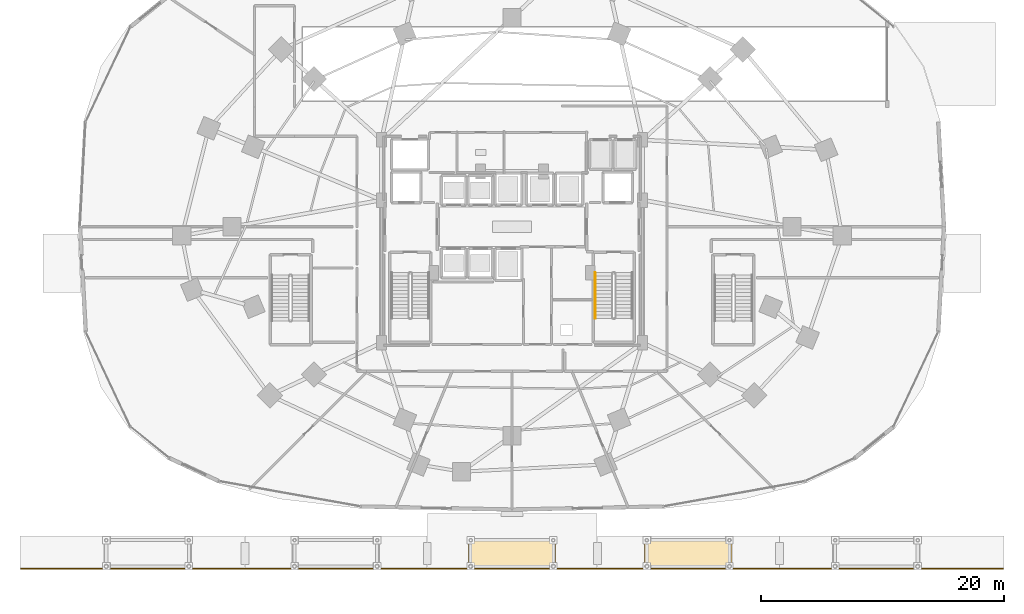
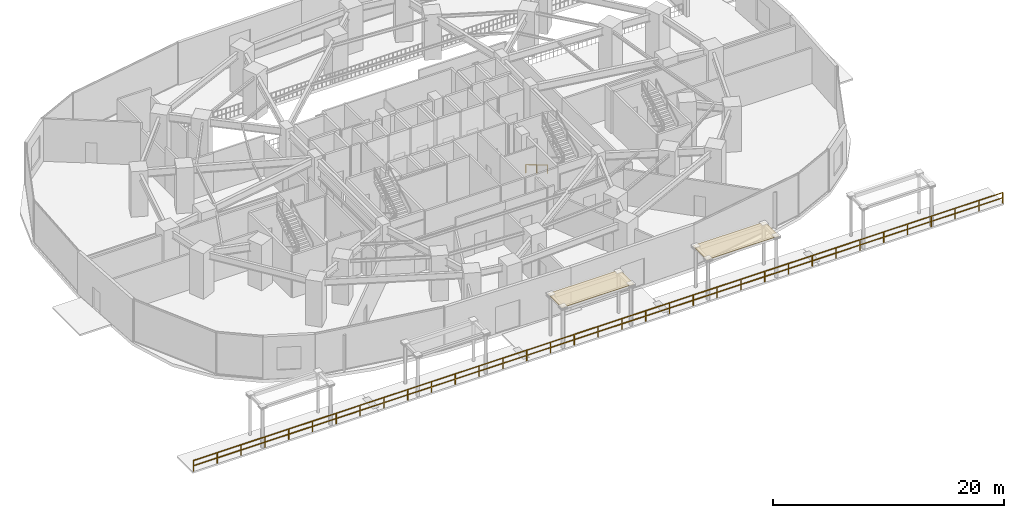
# One storey, part 33 of 36: 2 coverings, 2 railings.
"""IFC4 building model written with IfcOpenShell, lengths in metres."""

from ifc_helpers import new_model, si_unit, direction, frame, origin, origin_2d, place, context, subcontext, project, spatial, polyline, rectangle, outline, extrude, material, layer, layer_set, type_object, element, save


model = new_model("IFC4")

# Units and contexts
model_context = context("Model", 3, precision=1e-05, world=origin(), true_north=direction((0.0, 1.0)))
body_context = subcontext(model_context, "Body", "Model", "MODEL_VIEW")
ifc_project = project(units=[si_unit("LENGTHUNIT", "METRE"), si_unit("AREAUNIT", "SQUARE_METRE"), si_unit("VOLUMEUNIT", "CUBIC_METRE"), si_unit("PLANEANGLEUNIT", "RADIAN"), si_unit("MASSUNIT", "GRAM", prefix="KILO")], contexts=[model_context])

# Site, building, storey
site_placement = place(None, origin())
site = spatial("IfcSite", under=ifc_project, at=site_placement, CompositionType="ELEMENT")
building_placement = place(site_placement, origin())
building = spatial("IfcBuilding", under=site, at=building_placement, Name="Vorneva Point Tower", CompositionType="ELEMENT")
storey_placement = place(building_placement, origin())
storey = spatial("IfcBuildingStorey", under=building, at=storey_placement, Name="L00", CompositionType="ELEMENT", Elevation=0.0)

# Coverings
ifc_material_1 = material(Name="Pale anodised aluminium", Category="aluminium")
ifc_layer = layer(ifc_material_1, 0.030029296875)
ifc_layer_set = layer_set([ifc_layer], Name="Pale anodised aluminium")
covering_type = type_object("IfcCoveringType", Name="COV-SOF-ALU", PredefinedType="CLADDING", material=ifc_layer_set)
covering_1_placement = place(storey_placement, frame((0.0, 0.0, 4.300048828125)))
element("IfcCovering", 1, at=covering_1_placement, inside=storey, type_object=covering_type, Name="Waterfront Canopy Pale-Aluminium Soffit 03", PredefinedType="CLADDING", context=body_context, shape_type="SweptSolid", body=[
    extrude(outline(polyline([(34.39990234375, -2.10009765625), (41.60009765625, -2.10009765625), (41.60009765625, 0.35009765625), (34.39990234375, 0.35009765625), (34.39990234375, -2.10009765625)])), origin(), (0.0, 0.0, 1.0), 0.050048828125),
])
covering_2_placement = place(storey_placement, frame((0.0, 0.0, 4.300048828125)))
element("IfcCovering", 2, at=covering_2_placement, inside=storey, type_object=covering_type, Name="Waterfront Canopy Pale-Aluminium Soffit 04", PredefinedType="CLADDING", context=body_context, shape_type="SweptSolid", body=[
    extrude(outline(polyline([(48.89990234375, -2.10009765625), (56.10009765625, -2.10009765625), (56.10009765625, 0.35009765625), (48.89990234375, 0.35009765625), (48.89990234375, -2.10009765625)])), origin(), (0.0, 0.0, 1.0), 0.050048828125),
])

# Railings
ifc_material_2 = material(Name="Brushed stainless steel S304", Category="steel")
railing_type_1 = type_object("IfcRailingType", Name="RL-HND-920", PredefinedType="HANDRAIL", material=ifc_material_2)
railing_1_placement = place(storey_placement, frame((44.85009765625, 22.219970703125, 0.17138671875)))
element("IfcRailing", 3, at=railing_1_placement, inside=storey, type_object=railing_type_1, Name="L00 ST2 stair handrail 1", PredefinedType="HANDRAIL", context=body_context, shape_type="SweptSolid", body=[
    extrude(rectangle(XDim=0.048095703125, YDim=0.048095703125, at=origin_2d()), frame((0.0, 0.0, 0.8759765625), z_axis=(0.0, -0.860848830602, 0.508860777473), x_axis=(1.0, 0.0, 0.0)), (0.0, 0.0, 1.0), 4.37939453125),
    extrude(rectangle(XDim=0.0419921875, YDim=0.0419921875, at=origin_2d()), origin(), (0.0, 0.0, 1.0), 0.851806640625),
    extrude(rectangle(XDim=0.0419921875, YDim=0.0419921875, at=origin_2d()), frame((0.0, -1.885009765625, 1.1142578125)), (0.0, 0.0, 1.0), 0.851806640625),
    extrude(rectangle(XDim=0.0419921875, YDim=0.0419921875, at=origin_2d()), frame((0.0, -3.77001953125, 2.228515625)), (0.0, 0.0, 1.0), 0.851806640625),
])
ifc_material_3 = material(Name="Galvanised steel S355", Category="steel")
railing_type_2 = type_object("IfcRailingType", Name="RL-QUAY-1150", PredefinedType="GUARDRAIL", material=ifc_material_3)
railing_2_placement = place(storey_placement, frame((-2.39990234375, -2.14990234375, 0.0)))
element("IfcRailing", 4, at=railing_2_placement, inside=storey, type_object=railing_type_2, Name="Waterfront Promenade River Edge Guardrail", PredefinedType="GUARDRAIL", context=body_context, shape_type="SweptSolid", body=[
    extrude(rectangle(XDim=0.048095703125, YDim=0.048095703125, at=origin_2d()), frame((0.0, 0.0, 1.1259765625), z_axis=(1.0, 0.0, 0.0), x_axis=(0.0, 1.0, 0.0)), (0.0, 0.0, 1.0), 80.7998046875),
    extrude(rectangle(XDim=0.048095703125, YDim=0.048095703125, at=origin_2d()), frame((0.0, 0.0, 0.574951171875), z_axis=(1.0, 0.0, 0.0), x_axis=(0.0, 1.0, 0.0)), (0.0, 0.0, 1.0), 80.7998046875),
    extrude(rectangle(XDim=0.0419921875, YDim=0.0419921875, at=origin_2d()), origin(), (0.0, 0.0, 1.0), 1.101806640625),
    extrude(rectangle(XDim=0.0419921875, YDim=0.0419921875, at=origin_2d()), frame((2.37646484375, 0.0, 0.0)), (0.0, 0.0, 1.0), 1.101806640625),
    extrude(rectangle(XDim=0.0419921875, YDim=0.0419921875, at=origin_2d()), frame((4.7529296875, 0.0, 0.0)), (0.0, 0.0, 1.0), 1.101806640625),
    extrude(rectangle(XDim=0.0419921875, YDim=0.0419921875, at=origin_2d()), frame((7.12939453125, 0.0, 0.0)), (0.0, 0.0, 1.0), 1.101806640625),
    extrude(rectangle(XDim=0.0419921875, YDim=0.0419921875, at=origin_2d()), frame((9.505859375, 0.0, 0.0)), (0.0, 0.0, 1.0), 1.101806640625),
    extrude(rectangle(XDim=0.0419921875, YDim=0.0419921875, at=origin_2d()), frame((11.88232421875, 0.0, 0.0)), (0.0, 0.0, 1.0), 1.101806640625),
    extrude(rectangle(XDim=0.0419921875, YDim=0.0419921875, at=origin_2d()), frame((14.2587890625, 0.0, 0.0)), (0.0, 0.0, 1.0), 1.101806640625),
    extrude(rectangle(XDim=0.0419921875, YDim=0.0419921875, at=origin_2d()), frame((16.63525390625, 0.0, 0.0)), (0.0, 0.0, 1.0), 1.101806640625),
    extrude(rectangle(XDim=0.0419921875, YDim=0.0419921875, at=origin_2d()), frame((19.01171875, 0.0, 0.0)), (0.0, 0.0, 1.0), 1.101806640625),
    extrude(rectangle(XDim=0.0419921875, YDim=0.0419921875, at=origin_2d()), frame((21.38818359375, 0.0, 0.0)), (0.0, 0.0, 1.0), 1.101806640625),
    extrude(rectangle(XDim=0.0419921875, YDim=0.0419921875, at=origin_2d()), frame((23.7646484375, 0.0, 0.0)), (0.0, 0.0, 1.0), 1.101806640625),
    extrude(rectangle(XDim=0.0419921875, YDim=0.0419921875, at=origin_2d()), frame((26.14111328125, 0.0, 0.0)), (0.0, 0.0, 1.0), 1.101806640625),
    extrude(rectangle(XDim=0.0419921875, YDim=0.0419921875, at=origin_2d()), frame((28.517578125, 0.0, 0.0)), (0.0, 0.0, 1.0), 1.101806640625),
    extrude(rectangle(XDim=0.0419921875, YDim=0.0419921875, at=origin_2d()), frame((30.89404296875, 0.0, 0.0)), (0.0, 0.0, 1.0), 1.101806640625),
    extrude(rectangle(XDim=0.0419921875, YDim=0.0419921875, at=origin_2d()), frame((33.2705078125, 0.0, 0.0)), (0.0, 0.0, 1.0), 1.101806640625),
    extrude(rectangle(XDim=0.0419921875, YDim=0.0419921875, at=origin_2d()), frame((35.64697265625, 0.0, 0.0)), (0.0, 0.0, 1.0), 1.101806640625),
    extrude(rectangle(XDim=0.0419921875, YDim=0.0419921875, at=origin_2d()), frame((38.0234375, 0.0, 0.0)), (0.0, 0.0, 1.0), 1.101806640625),
    extrude(rectangle(XDim=0.0419921875, YDim=0.0419921875, at=origin_2d()), frame((40.39990234375, 0.0, 0.0)), (0.0, 0.0, 1.0), 1.101806640625),
    extrude(rectangle(XDim=0.0419921875, YDim=0.0419921875, at=origin_2d()), frame((42.7763671875, 0.0, 0.0)), (0.0, 0.0, 1.0), 1.101806640625),
    extrude(rectangle(XDim=0.0419921875, YDim=0.0419921875, at=origin_2d()), frame((45.15283203125, 0.0, 0.0)), (0.0, 0.0, 1.0), 1.101806640625),
    extrude(rectangle(XDim=0.0419921875, YDim=0.0419921875, at=origin_2d()), frame((47.529296875, 0.0, 0.0)), (0.0, 0.0, 1.0), 1.101806640625),
    extrude(rectangle(XDim=0.0419921875, YDim=0.0419921875, at=origin_2d()), frame((49.90576171875, 0.0, 0.0)), (0.0, 0.0, 1.0), 1.101806640625),
    extrude(rectangle(XDim=0.0419921875, YDim=0.0419921875, at=origin_2d()), frame((52.2822265625, 0.0, 0.0)), (0.0, 0.0, 1.0), 1.101806640625),
    extrude(rectangle(XDim=0.0419921875, YDim=0.0419921875, at=origin_2d()), frame((54.65869140625, 0.0, 0.0)), (0.0, 0.0, 1.0), 1.101806640625),
    extrude(rectangle(XDim=0.0419921875, YDim=0.0419921875, at=origin_2d()), frame((57.03515625, 0.0, 0.0)), (0.0, 0.0, 1.0), 1.101806640625),
    extrude(rectangle(XDim=0.0419921875, YDim=0.0419921875, at=origin_2d()), frame((59.41162109375, 0.0, 0.0)), (0.0, 0.0, 1.0), 1.101806640625),
    extrude(rectangle(XDim=0.0419921875, YDim=0.0419921875, at=origin_2d()), frame((61.7880859375, 0.0, 0.0)), (0.0, 0.0, 1.0), 1.101806640625),
    extrude(rectangle(XDim=0.0419921875, YDim=0.0419921875, at=origin_2d()), frame((64.16455078125, 0.0, 0.0)), (0.0, 0.0, 1.0), 1.101806640625),
    extrude(rectangle(XDim=0.0419921875, YDim=0.0419921875, at=origin_2d()), frame((66.541015625, 0.0, 0.0)), (0.0, 0.0, 1.0), 1.101806640625),
    extrude(rectangle(XDim=0.0419921875, YDim=0.0419921875, at=origin_2d()), frame((68.91748046875, 0.0, 0.0)), (0.0, 0.0, 1.0), 1.101806640625),
    extrude(rectangle(XDim=0.0419921875, YDim=0.0419921875, at=origin_2d()), frame((71.2939453125, 0.0, 0.0)), (0.0, 0.0, 1.0), 1.101806640625),
    extrude(rectangle(XDim=0.0419921875, YDim=0.0419921875, at=origin_2d()), frame((73.67041015625, 0.0, 0.0)), (0.0, 0.0, 1.0), 1.101806640625),
    extrude(rectangle(XDim=0.0419921875, YDim=0.0419921875, at=origin_2d()), frame((76.046875, 0.0, 0.0)), (0.0, 0.0, 1.0), 1.101806640625),
    extrude(rectangle(XDim=0.0419921875, YDim=0.0419921875, at=origin_2d()), frame((78.42333984375, 0.0, 0.0)), (0.0, 0.0, 1.0), 1.101806640625),
    extrude(rectangle(XDim=0.0419921875, YDim=0.0419921875, at=origin_2d()), frame((80.7998046875, 0.0, 0.0)), (0.0, 0.0, 1.0), 1.101806640625),
])

save(model, "model.ifc")
